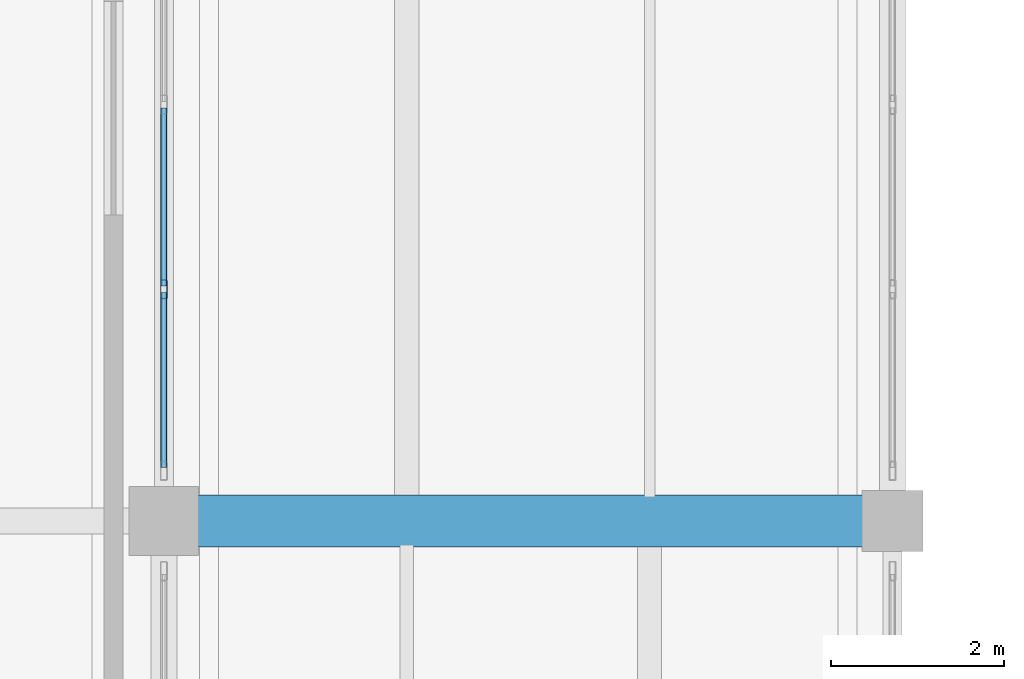
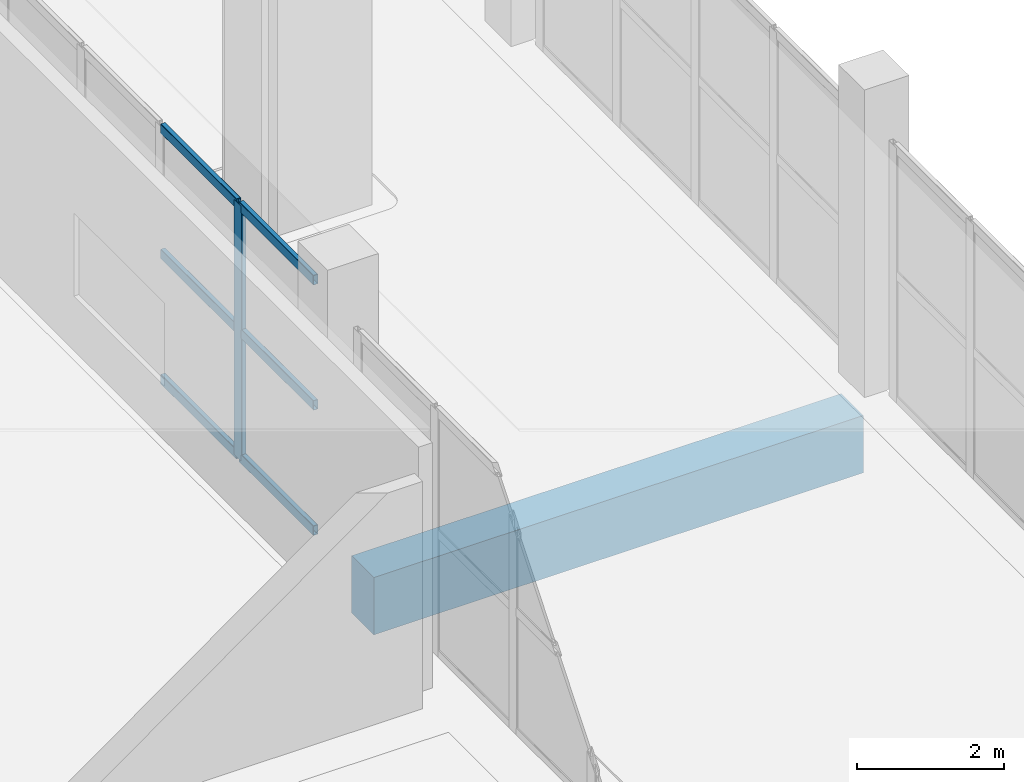
# One storey, part 5 of 66: 7 members, 1 beam, 1 element without a shape of its own.
"""IFC4 building model written with IfcOpenShell, lengths in metres."""

import ifcopenshell
import ifcopenshell.guid

model = None  # the IFC model being written
_history = None  # IfcOwnerHistory: only IFC2X3 demands one
_inside = {}  # id of a spatial element -> (the spatial element, [elements in it])
_under = {}  # id of a project, library or spatial element -> (it, [spatial elements below it])
_declared = {}  # id of a project -> (the project, [libraries it declares])
_typed = {}  # id of a type object -> (the type object, [elements of that type])
_made_of = {}  # id of a material, layer set ... -> (it, [elements and type objects made of it])


def new_model(schema):
    """Start an empty IFC model of exactly this schema.

    Asked for "IFC4X3", IfcOpenShell would pick the latest addendum, in which some entities
    have other attributes; the version numbers below select the first issue.
    IFC2X3 requires an IfcOwnerHistory on every rooted entity: one is made here for all.
    """
    global model, _history
    if schema == "IFC4X3":
        model = ifcopenshell.file(schema_version=(4, 3, 0, 0))
    else:
        model = ifcopenshell.file(schema=schema)
    _inside.clear()
    _under.clear()
    _declared.clear()
    _typed.clear()
    _made_of.clear()
    _history = None
    if model.schema == "IFC2X3":
        org = make("IfcOrganization", Name="unknown")
        user = make(
            "IfcPersonAndOrganization",
            ThePerson=make("IfcPerson", FamilyName="unknown"),
            TheOrganization=org,
        )
        app = make(
            "IfcApplication",
            ApplicationDeveloper=org,
            Version="unknown",
            ApplicationFullName="unknown",
            ApplicationIdentifier="unknown",
        )
        _history = make(
            "IfcOwnerHistory",
            OwningUser=user,
            OwningApplication=app,
            ChangeAction="ADDED",
            CreationDate=0,
        )
    return model


def make(cls, **values):
    """One entity of the class cls with the attributes given. An attribute that is None is left unset."""
    return model.create_entity(
        cls, **{name: value for name, value in values.items() if value is not None}
    )


def rooted(cls, **values):
    """An entity with a GlobalId (a new one), such as an element, a storey or a relation."""
    return make(cls, GlobalId=ifcopenshell.guid.new(), OwnerHistory=_history, **values)


def si_unit(unit_type, name, prefix=None):
    """IfcSIUnit, for example si_unit("LENGTHUNIT", "METRE", prefix="MILLI")."""
    return make("IfcSIUnit", UnitType=unit_type, Prefix=prefix, Name=name)


def assignment(units):
    """IfcUnitAssignment: the units of a project."""
    return None if units is None else make("IfcUnitAssignment", Units=units)


def point(xyz):
    """IfcCartesianPoint."""
    return None if xyz is None else make("IfcCartesianPoint", Coordinates=xyz)


def direction(xyz):
    """IfcDirection."""
    return None if xyz is None else make("IfcDirection", DirectionRatios=xyz)


def frame(location, z_axis=None, x_axis=None):
    """IfcAxis2Placement3D, a coordinate frame: its origin and axes. An axis left out is left unset."""
    return make(
        "IfcAxis2Placement3D",
        Location=point(location),
        Axis=direction(z_axis),
        RefDirection=direction(x_axis),
    )


def frame_2d(location, x_axis=None):
    """IfcAxis2Placement2D, a coordinate frame in the plane: its origin and x axis."""
    return make(
        "IfcAxis2Placement2D", Location=point(location), RefDirection=direction(x_axis)
    )


def origin():
    """The frame at (0, 0, 0) with its axes left unset."""
    return frame((0.0, 0.0, 0.0))


def origin_2d():
    """The frame at (0, 0) in the plane with its x axis left unset."""
    return frame_2d((0.0, 0.0))


def place(relative_to, where):
    """IfcLocalPlacement: puts the frame where relative to a parent placement (None: the world)."""
    return make(
        "IfcLocalPlacement", PlacementRelTo=relative_to, RelativePlacement=where
    )


def context(
    kind, dimensions, precision=None, world=None, true_north=None, identifier=None
):
    """IfcGeometricRepresentationContext, for example the 3D "Model" context."""
    return make(
        "IfcGeometricRepresentationContext",
        ContextIdentifier=identifier,
        ContextType=kind,
        CoordinateSpaceDimension=dimensions,
        Precision=precision,
        WorldCoordinateSystem=world,
        TrueNorth=true_north,
    )


def subcontext(parent, identifier, kind, view, scale=None):
    """IfcGeometricRepresentationSubContext, for example "Body" below "Model"."""
    return make(
        "IfcGeometricRepresentationSubContext",
        ContextIdentifier=identifier,
        ContextType=kind,
        ParentContext=parent,
        TargetScale=scale,
        TargetView=view,
    )


def project(units=None, contexts=None):
    """IfcProject with its units and contexts."""
    return rooted(
        "IfcProject",
        Name="project",
        RepresentationContexts=contexts,
        UnitsInContext=assignment(units),
    )


def spatial(cls, under=None, at=None, **own):
    """A site, building, storey or space (cls), placed at a placement, below another one or the project."""
    s = rooted(cls, ObjectPlacement=at, **own)
    if under is not None:
        _under.setdefault(under.id(), (under, []))[1].append(s)
    return s


def profile(cls, at=None, kind="AREA", **sizes):
    """A parametric profile (cls). Its sizes go by their IFC names, for example OverallWidth=200.0."""
    return make(cls, ProfileType=kind, Position=at, **sizes)


def rectangle(**sizes):
    """IfcRectangleProfileDef."""
    return profile("IfcRectangleProfileDef", **sizes)


def hollow_rectangle(**sizes):
    """IfcRectangleHollowProfileDef."""
    return profile("IfcRectangleHollowProfileDef", **sizes)


def extrude(swept, where, along, depth):
    """IfcExtrudedAreaSolid: the profile swept, set in the frame where, extruded along a direction by depth."""
    return make(
        "IfcExtrudedAreaSolid",
        SweptArea=swept,
        Position=where,
        ExtrudedDirection=direction(along),
        Depth=depth,
    )


def shape(context_of_items, identifier, shape_type, items):
    """IfcShapeRepresentation: the items that make up one representation, for example the "Body"."""
    return make(
        "IfcShapeRepresentation",
        ContextOfItems=context_of_items,
        RepresentationIdentifier=identifier,
        RepresentationType=shape_type,
        Items=items,
    )


def material(Name=None, Category=None):
    """IfcMaterial."""
    return make("IfcMaterial", Name=Name, Category=Category)


def layer(
    of_material, thickness, ventilated=None, Name=None, Category=None, Priority=None
):
    """IfcMaterialLayer: one layer of a wall or slab, of a material (None: an air gap)."""
    return make(
        "IfcMaterialLayer",
        Material=of_material,
        LayerThickness=thickness,
        IsVentilated=ventilated,
        Name=Name,
        Category=Category,
        Priority=Priority,
    )


def layer_set(layers, Name=None):
    """IfcMaterialLayerSet."""
    return make("IfcMaterialLayerSet", MaterialLayers=layers, LayerSetName=Name)


def material_profile(
    of_material, cross_section, Name=None, Category=None, Priority=None
):
    """IfcMaterialProfile: a cross section and its material."""
    return make(
        "IfcMaterialProfile",
        Name=Name,
        Material=of_material,
        Profile=cross_section,
        Priority=Priority,
        Category=Category,
    )


def profile_set(profiles, Name=None, composite=None):
    """IfcMaterialProfileSet."""
    return make(
        "IfcMaterialProfileSet",
        Name=Name,
        MaterialProfiles=profiles,
        CompositeProfile=composite,
    )


def made_of(thing, what):
    """Note that an element or type object is made of a material, layer set ...; save() writes the relation."""
    if what is not None:
        _made_of.setdefault(what.id(), (what, []))[1].append(thing)
    return thing


def type_object(cls, material=None, **own):
    """A type object (cls), such as IfcWallType, which elements share."""
    return made_of(rooted(cls, **own), material)


def element(
    cls,
    number,
    at=None,
    inside=None,
    cuts=None,
    type_object=None,
    material=None,
    context=None,
    identifier="Body",
    shape_type=None,
    held_by="IfcProductDefinitionShape",
    body=None,
    shapes=None,
    **own,
):
    """One element of the class cls, such as IfcWall. Its Tag is "e" and its number.

    at: its placement. inside: the storey or other place that contains it. cuts: it is an
    opening in that element (IfcRelVoidsElement). A single representation is given by context,
    identifier, shape_type and body (its items); several are given by shapes. held_by: the class
    of the entity that holds the representations. save() writes the other relations.
    """
    e = rooted(cls, Tag="e%d" % number, ObjectPlacement=at, **own)
    if body is not None:
        shapes = [shape(context, identifier, shape_type, body)]
    if shapes is not None:
        e.Representation = make(held_by, Representations=shapes)
    if inside is not None:
        _inside.setdefault(inside.id(), (inside, []))[1].append(e)
    if cuts is not None:
        rooted(
            "IfcRelVoidsElement", RelatingBuildingElement=cuts, RelatedOpeningElement=e
        )
    if type_object is not None:
        _typed.setdefault(type_object.id(), (type_object, []))[1].append(e)
    return made_of(e, material)


def aggregate(whole, parts):
    """IfcRelAggregates: a whole, such as a stair, and the parts it consists of."""
    return rooted("IfcRelAggregates", RelatingObject=whole, RelatedObjects=parts)


def save(model, path):
    """Write the relations noted so far, then the file.

    IfcRelAggregates (storeys below a building ...), IfcRelContainedInSpatialStructure (elements
    in a storey), IfcRelDefinesByType, IfcRelAssociatesMaterial and IfcRelDeclares: one each for
    every whole, place, type object, material and project.
    """
    for whole, parts in _under.values():
        aggregate(whole, parts)
    for where, things in _inside.values():
        rooted(
            "IfcRelContainedInSpatialStructure",
            RelatedElements=things,
            RelatingStructure=where,
        )
    for kind, things in _typed.values():
        rooted("IfcRelDefinesByType", RelatedObjects=things, RelatingType=kind)
    for what, things in _made_of.values():
        rooted("IfcRelAssociatesMaterial", RelatedObjects=things, RelatingMaterial=what)
    for by, libraries in _declared.values():
        rooted("IfcRelDeclares", RelatingContext=by, RelatedDefinitions=libraries)
    model.write(path)


model = new_model("IFC4")

# Units and contexts
model_context = context("Model", 3, precision=1e-05, world=origin(), true_north=direction((0.0, 1.0)))
body_context = subcontext(model_context, "Body", "Model", "MODEL_VIEW")
ifc_project = project(units=[si_unit("LENGTHUNIT", "METRE"), si_unit("AREAUNIT", "SQUARE_METRE"), si_unit("VOLUMEUNIT", "CUBIC_METRE"), si_unit("PLANEANGLEUNIT", "RADIAN"), si_unit("MASSUNIT", "GRAM", prefix="KILO")], contexts=[model_context])

# Site, building, storey
site_placement = place(None, origin())
site = spatial("IfcSite", under=ifc_project, at=site_placement, CompositionType="ELEMENT")
building_placement = place(site_placement, origin())
building = spatial("IfcBuilding", under=site, at=building_placement, Name="Zulmaris Art Gallery", CompositionType="ELEMENT")
storey_placement = place(building_placement, frame((0.0, 0.0, 5.39990234375)))
storey = spatial("IfcBuildingStorey", under=building, at=storey_placement, Name="L01", CompositionType="ELEMENT", Elevation=5.39990234375)

# Beam
ifc_material_1 = material(Name="Concrete C40/50", Category="concrete")
ifc_material_profile_1 = material_profile(ifc_material_1, rectangle(XDim=0.60009765625, YDim=0.949951171875, at=origin_2d()), Name="RC 600x950")
ifc_profile_set_1 = profile_set([ifc_material_profile_1], Name="Concrete C40/50")
beam_type = type_object("IfcBeamType", Name="BEAM-BM22", PredefinedType="BEAM", material=ifc_profile_set_1)
beam_placement = place(storey_placement, frame((83.18505859375, 40.800048828125, -0.804931640625), z_axis=(1.0, 0.0, 0.0), x_axis=(0.0, 1.0, 0.0)))
element("IfcBeam", 1, at=beam_placement, inside=storey, type_object=beam_type, Name="L01 X-girder (82.8..91.2, y=40.8)", PredefinedType="BEAM", context=body_context, shape_type="SweptSolid", body=[
    extrude(rectangle(XDim=0.60009765625, YDim=0.949951171875, at=origin_2d()), origin(), (0.0, 0.0, 1.0), 7.679931640625),
])

# Curtain wall, members
ifc_material_2 = material(Name="Cloister & Court Glazed Curtain Wall", Category="aluminium")
ifc_layer = layer(ifc_material_2, 0.179931640625)
ifc_layer_set = layer_set([ifc_layer], Name="Cloister & Court Glazed Curtain Wall")
curtain_wall_type = type_object("IfcCurtainWallType", Name="CW-CW03", PredefinedType="NOTDEFINED", material=ifc_layer_set)
curtain_wall_placement = place(storey_placement, origin())
curtain_wall = element("IfcCurtainWall", 2, at=curtain_wall_placement, inside=storey, type_object=curtain_wall_type, Name="L01 curtain wall 74", PredefinedType="NOTDEFINED")
ifc_material_3 = material(Name="Anodised Bronze Aluminium", Category="aluminium")
ifc_material_profile_2 = material_profile(ifc_material_3, hollow_rectangle(XDim=0.074951171875, YDim=0.219970703125, WallThickness=0.0048828125, InnerFilletRadius=0.007568359375, OuterFilletRadius=0.012451171875, at=origin_2d()), Name="ALU 75x220x5")
ifc_profile_set_2 = profile_set([ifc_material_profile_2], Name="Anodised Bronze Aluminium")
member_type_1 = type_object("IfcMemberType", Name="CWMUL-02", PredefinedType="MULLION", material=ifc_profile_set_2)
member_1_placement = place(storey_placement, frame((82.800048828125, 43.469970703125, 0.0), z_axis=(0.0, 0.0, 1.0), x_axis=(-1.0, 0.0, 0.0)))
member_1 = element("IfcMember", 3, at=member_1_placement, type_object=member_type_1, Name="CW03 mullion 2", PredefinedType="MULLION", context=body_context, shape_type="SweptSolid", body=[
    extrude(hollow_rectangle(XDim=0.074951171875, YDim=0.219970703125, WallThickness=0.0048828125, InnerFilletRadius=0.007568359375, OuterFilletRadius=0.012451171875, at=origin_2d()), origin(), (0.0, 0.0, 1.0), 4.22998046875),
])
ifc_material_profile_3 = material_profile(ifc_material_3, hollow_rectangle(XDim=0.074951171875, YDim=0.159912109375, WallThickness=0.00390625, InnerFilletRadius=0.006103515625, OuterFilletRadius=0.010009765625, at=origin_2d()), Name="ALU 75x160x4")
ifc_profile_set_3 = profile_set([ifc_material_profile_3], Name="Anodised Bronze Aluminium")
member_type_2 = type_object("IfcMemberType", Name="CWTRN-02", PredefinedType="USERDEFINED", material=ifc_profile_set_3)
member_2_placement = place(storey_placement, frame((82.800048828125, 41.4150390625, 0.03759765625), z_axis=(0.0, 1.0, 0.0), x_axis=(-1.0, 0.0, 0.0)))
member_2 = element("IfcMember", 4, at=member_2_placement, type_object=member_type_2, Name="CW03 transom 1.1", ObjectType="TRANSOM", PredefinedType="USERDEFINED", context=body_context, shape_type="SweptSolid", body=[
    extrude(hollow_rectangle(XDim=0.074951171875, YDim=0.159912109375, WallThickness=0.00390625, InnerFilletRadius=0.006103515625, OuterFilletRadius=0.010009765625, at=origin_2d()), origin(), (0.0, 0.0, 1.0), 2.017578125),
])
member_3_placement = place(storey_placement, frame((82.800048828125, 41.4150390625, 2.114990234375), z_axis=(0.0, 1.0, 0.0), x_axis=(-1.0, 0.0, 0.0)))
member_3 = element("IfcMember", 5, at=member_3_placement, type_object=member_type_2, Name="CW03 transom 1.2", ObjectType="TRANSOM", PredefinedType="USERDEFINED", context=body_context, shape_type="SweptSolid", body=[
    extrude(hollow_rectangle(XDim=0.074951171875, YDim=0.159912109375, WallThickness=0.00390625, InnerFilletRadius=0.006103515625, OuterFilletRadius=0.010009765625, at=origin_2d()), origin(), (0.0, 0.0, 1.0), 2.017578125),
])
member_4_placement = place(storey_placement, frame((82.800048828125, 41.4150390625, 4.192626953125), z_axis=(0.0, 1.0, 0.0), x_axis=(-1.0, 0.0, 0.0)))
member_4 = element("IfcMember", 6, at=member_4_placement, type_object=member_type_2, Name="CW03 transom 1.3", ObjectType="TRANSOM", PredefinedType="USERDEFINED", context=body_context, shape_type="SweptSolid", body=[
    extrude(hollow_rectangle(XDim=0.074951171875, YDim=0.159912109375, WallThickness=0.00390625, InnerFilletRadius=0.006103515625, OuterFilletRadius=0.010009765625, at=origin_2d()), origin(), (0.0, 0.0, 1.0), 2.017578125),
])
member_5_placement = place(storey_placement, frame((82.800048828125, 43.507568359375, 0.03759765625), z_axis=(0.0, 1.0, 0.0), x_axis=(-1.0, 0.0, 0.0)))
member_5 = element("IfcMember", 7, at=member_5_placement, type_object=member_type_2, Name="CW03 transom 2.1", ObjectType="TRANSOM", PredefinedType="USERDEFINED", context=body_context, shape_type="SweptSolid", body=[
    extrude(hollow_rectangle(XDim=0.074951171875, YDim=0.159912109375, WallThickness=0.00390625, InnerFilletRadius=0.006103515625, OuterFilletRadius=0.010009765625, at=origin_2d()), origin(), (0.0, 0.0, 1.0), 2.054931640625),
])
member_6_placement = place(storey_placement, frame((82.800048828125, 43.507568359375, 2.114990234375), z_axis=(0.0, 1.0, 0.0), x_axis=(-1.0, 0.0, 0.0)))
member_6 = element("IfcMember", 8, at=member_6_placement, type_object=member_type_2, Name="CW03 transom 2.2", ObjectType="TRANSOM", PredefinedType="USERDEFINED", context=body_context, shape_type="SweptSolid", body=[
    extrude(hollow_rectangle(XDim=0.074951171875, YDim=0.159912109375, WallThickness=0.00390625, InnerFilletRadius=0.006103515625, OuterFilletRadius=0.010009765625, at=origin_2d()), origin(), (0.0, 0.0, 1.0), 2.054931640625),
])
member_7_placement = place(storey_placement, frame((82.800048828125, 43.507568359375, 4.192626953125), z_axis=(0.0, 1.0, 0.0), x_axis=(-1.0, 0.0, 0.0)))
member_7 = element("IfcMember", 9, at=member_7_placement, type_object=member_type_2, Name="CW03 transom 2.3", ObjectType="TRANSOM", PredefinedType="USERDEFINED", context=body_context, shape_type="SweptSolid", body=[
    extrude(hollow_rectangle(XDim=0.074951171875, YDim=0.159912109375, WallThickness=0.00390625, InnerFilletRadius=0.006103515625, OuterFilletRadius=0.010009765625, at=origin_2d()), origin(), (0.0, 0.0, 1.0), 2.054931640625),
])
aggregate(curtain_wall, [member_1, member_2, member_3, member_4, member_5, member_6, member_7])

save(model, "model.ifc")
